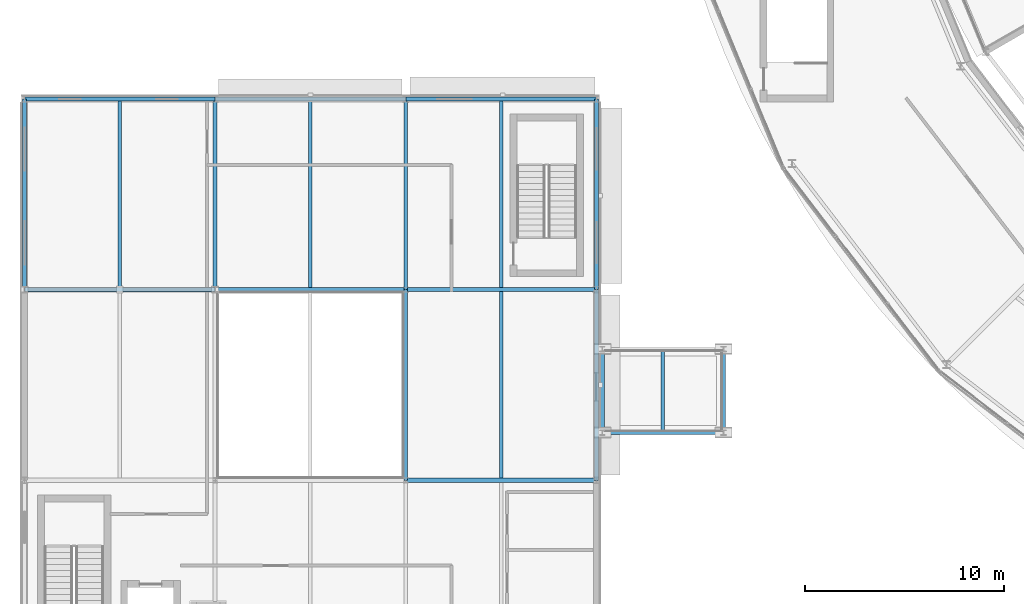
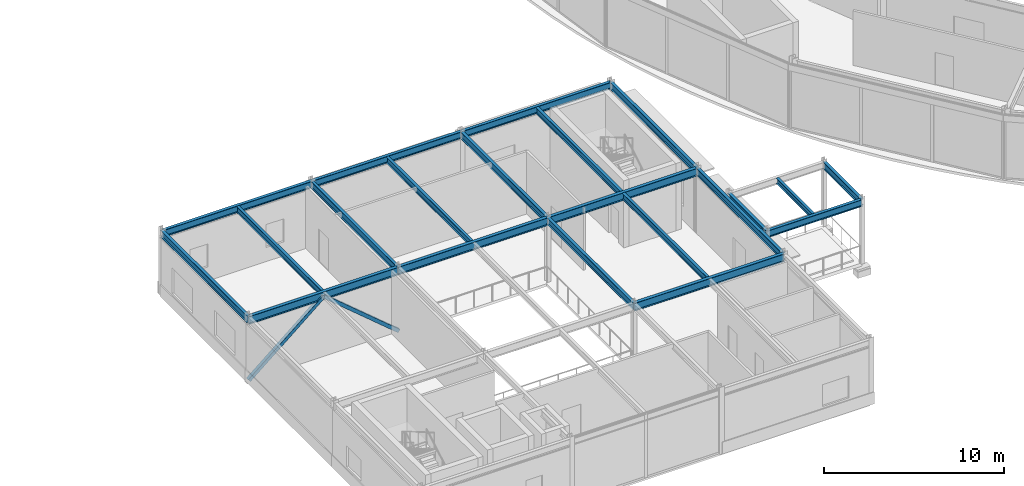
# One storey, part 25 of 157: 21 beams, 2 members.
"""IFC4 building model written with IfcOpenShell, lengths in metres."""

from ifc_helpers import new_model, si_unit, direction, frame, origin, origin_2d, place, context, subcontext, project, spatial, hollow_rectangle, i_section, extrude, material, material_profile, profile_set, type_object, element, save


model = new_model("IFC4")

# Units and contexts
model_context = context("Model", 3, precision=1e-05, world=origin(), true_north=direction((0.0, 1.0)))
body_context = subcontext(model_context, "Body", "Model", "MODEL_VIEW")
ifc_project = project(units=[si_unit("LENGTHUNIT", "METRE"), si_unit("AREAUNIT", "SQUARE_METRE"), si_unit("VOLUMEUNIT", "CUBIC_METRE"), si_unit("PLANEANGLEUNIT", "RADIAN"), si_unit("MASSUNIT", "GRAM", prefix="KILO")], contexts=[model_context])

# Site, building, storey
site_placement = place(None, origin())
site = spatial("IfcSite", under=ifc_project, at=site_placement, CompositionType="ELEMENT")
building_placement = place(site_placement, origin())
building = spatial("IfcBuilding", under=site, at=building_placement, Name="Almandine Court Research Institute", CompositionType="ELEMENT")
storey_placement = place(building_placement, frame((0.0, 0.0, 5.25)))
storey = spatial("IfcBuildingStorey", under=building, at=storey_placement, Name="L01", CompositionType="ELEMENT", Elevation=5.25)

# Beams
ifc_material_1 = material(Name="Steel ASTM A992 Grade 50", Category="steel")
ifc_material_profile_1 = material_profile(ifc_material_1, i_section(OverallWidth=0.18994140625, OverallDepth=0.45703125, WebThickness=0.009033203125, FlangeThickness=0.014892578125, at=origin_2d()), Name="W460x74")
ifc_profile_set_1 = profile_set([ifc_material_profile_1], Name="Steel ASTM A992 Grade 50")
beam_type_1 = type_object("IfcBeamType", Name="Beam-B-01", PredefinedType="BEAM", material=ifc_profile_set_1)
beam_1_placement = place(storey_placement, frame((25.199951171875, 15.60009765625, 4.14111328125), z_axis=(0.0, 1.0, 0.0), x_axis=(-1.0, 0.0, 0.0)))
element("IfcBeam", 1, at=beam_1_placement, inside=storey, type_object=beam_type_1, Name="L01 V1 Primary Y Girder", PredefinedType="BEAM", context=body_context, shape_type="SweptSolid", body=[
    extrude(i_section(OverallWidth=0.18994140625, OverallDepth=0.45703125, WebThickness=0.009033203125, FlangeThickness=0.014892578125, at=origin_2d()), origin(), (0.0, 0.0, 1.0), 9.599853515625),
])
for number, where, z_axis, x_axis, name in (
    (2, (15.60009765625, 25.199951171875, 4.14111328125), (0.0, 1.0, 0.0), (-1.0, 0.0, 0.0), "L01 V1 Primary Y Girder"),
    (3, (25.199951171875, 25.199951171875, 4.14111328125), (0.0, 1.0, 0.0), (-1.0, 0.0, 0.0), "L01 V1 Primary Y Girder"),
):
    element("IfcBeam", number, at=place(storey_placement, frame(where, z_axis=z_axis, x_axis=x_axis)), inside=storey, type_object=beam_type_1, Name=name, PredefinedType="BEAM", context=body_context, shape_type="SweptSolid", body=[
        extrude(i_section(OverallWidth=0.18994140625, OverallDepth=0.45703125, WebThickness=0.009033203125, FlangeThickness=0.014892578125, at=origin_2d()), origin(), (0.0, 0.0, 1.0), 9.60009765625),
    ])
ifc_material_profile_2 = material_profile(ifc_material_1, i_section(OverallWidth=0.178955078125, OverallDepth=0.409912109375, WebThickness=0.009033203125, FlangeThickness=0.013916015625, at=origin_2d()), Name="W410x67")
ifc_profile_set_2 = profile_set([ifc_material_profile_2], Name="Steel ASTM A992 Grade 50")
beam_type_2 = type_object("IfcBeamType", Name="Beam-B-02", PredefinedType="JOIST", material=ifc_profile_set_2)
beam_2_placement = place(storey_placement, frame((30.0, 15.7041015625, 4.1650390625), z_axis=(0.0, 1.0, 0.0), x_axis=(-1.0, 0.0, 0.0)))
element("IfcBeam", 4, at=beam_2_placement, inside=storey, type_object=beam_type_2, Name="L01 V1 Composite Secondary Beam", PredefinedType="JOIST", context=body_context, shape_type="SweptSolid", body=[
    extrude(i_section(OverallWidth=0.178955078125, OverallDepth=0.409912109375, WebThickness=0.009033203125, FlangeThickness=0.013916015625, at=origin_2d()), origin(), (0.0, 0.0, 1.0), 9.391845703125),
])
for number, where, z_axis, x_axis, name in (
    (5, (10.800048828125, 25.302978515625, 4.1650390625), (0.0, 1.0, 0.0), (-1.0, 0.0, 0.0), "L01 V1 Composite Secondary Beam"),
    (6, (20.39990234375, 25.302978515625, 4.1650390625), (0.0, 1.0, 0.0), (-1.0, 0.0, 0.0), "L01 V1 Composite Secondary Beam"),
    (7, (30.0, 25.302978515625, 4.1650390625), (0.0, 1.0, 0.0), (-1.0, 0.0, 0.0), "L01 V1 Composite Secondary Beam"),
):
    element("IfcBeam", number, at=place(storey_placement, frame(where, z_axis=z_axis, x_axis=x_axis)), inside=storey, type_object=beam_type_2, Name=name, PredefinedType="JOIST", context=body_context, shape_type="SweptSolid", body=[
        extrude(i_section(OverallWidth=0.178955078125, OverallDepth=0.409912109375, WebThickness=0.009033203125, FlangeThickness=0.013916015625, at=origin_2d()), origin(), (0.0, 0.0, 1.0), 9.403076171875),
    ])
ifc_material_profile_3 = material_profile(ifc_material_1, i_section(OverallWidth=0.172119140625, OverallDepth=0.35791015625, WebThickness=0.008056640625, FlangeThickness=0.012939453125, at=origin_2d()), Name="W360x57")
ifc_profile_set_3 = profile_set([ifc_material_profile_3], Name="Steel ASTM A992 Grade 50")
beam_type_3 = type_object("IfcBeamType", Name="Beam-B-03", PredefinedType="JOIST", material=ifc_profile_set_3)
beam_3_placement = place(storey_placement, frame((38.14990234375, 18.094970703125, 4.1708984375), z_axis=(0.0, 1.0, 0.0), x_axis=(-1.0, 0.0, 0.0)))
element("IfcBeam", 8, at=beam_3_placement, inside=storey, type_object=beam_type_3, Name="L01 DAL-SW Composite Secondary Beam", PredefinedType="JOIST", context=body_context, shape_type="SweptSolid", body=[
    extrude(i_section(OverallWidth=0.172119140625, OverallDepth=0.35791015625, WebThickness=0.008056640625, FlangeThickness=0.012939453125, at=origin_2d()), origin(), (0.0, 0.0, 1.0), 4.010009765625),
])
ifc_material_profile_4 = material_profile(ifc_material_1, i_section(OverallWidth=0.2109375, OverallDepth=0.5390625, WebThickness=0.011962890625, FlangeThickness=0.01904296875, at=origin_2d()), Name="W530x109")
ifc_profile_set_4 = profile_set([ifc_material_profile_4], Name="Steel ASTM A992 Grade 50")
beam_type_4 = type_object("IfcBeamType", Name="Beam-G-04", PredefinedType="BEAM", material=ifc_profile_set_4)
for number, where, z_axis, x_axis, name in (
    (9, (25.199951171875, 15.60009765625, 4.10009765625), (1.0, 0.0, 0.0), (0.0, 1.0, 0.0), "L01 V1 Primary X Girder"),
    (10, (6.0, 25.199951171875, 4.10009765625), (1.0, 0.0, 0.0), (0.0, 1.0, 0.0), "L01 V1 Primary X Girder"),
):
    element("IfcBeam", number, at=place(storey_placement, frame(where, z_axis=z_axis, x_axis=x_axis)), inside=storey, type_object=beam_type_4, Name=name, PredefinedType="BEAM", context=body_context, shape_type="SweptSolid", body=[
        extrude(i_section(OverallWidth=0.2109375, OverallDepth=0.5390625, WebThickness=0.011962890625, FlangeThickness=0.01904296875, at=origin_2d()), origin(), (0.0, 0.0, 1.0), 9.60009765625),
    ])
beam_4_placement = place(storey_placement, frame((15.60009765625, 25.199951171875, 4.10009765625), z_axis=(1.0, 0.0, 0.0), x_axis=(0.0, 1.0, 0.0)))
element("IfcBeam", 11, at=beam_4_placement, inside=storey, type_object=beam_type_4, Name="L01 V1 Primary X Girder", PredefinedType="BEAM", context=body_context, shape_type="SweptSolid", body=[
    extrude(i_section(OverallWidth=0.2109375, OverallDepth=0.5390625, WebThickness=0.011962890625, FlangeThickness=0.01904296875, at=origin_2d()), origin(), (0.0, 0.0, 1.0), 9.599853515625),
])
beam_5_placement = place(storey_placement, frame((25.199951171875, 25.199951171875, 4.10009765625), z_axis=(1.0, 0.0, 0.0), x_axis=(0.0, 1.0, 0.0)))
element("IfcBeam", 12, at=beam_5_placement, inside=storey, type_object=beam_type_4, Name="L01 V1 Primary X Girder", PredefinedType="BEAM", context=body_context, shape_type="SweptSolid", body=[
    extrude(i_section(OverallWidth=0.2109375, OverallDepth=0.5390625, WebThickness=0.011962890625, FlangeThickness=0.01904296875, at=origin_2d()), origin(), (0.0, 0.0, 1.0), 9.60009765625),
])
ifc_material_profile_5 = material_profile(ifc_material_1, i_section(OverallWidth=0.193115234375, OverallDepth=0.466064453125, WebThickness=0.010986328125, FlangeThickness=0.01904296875, at=origin_2d()), Name="W460x97")
ifc_profile_set_5 = profile_set([ifc_material_profile_5], Name="Steel ASTM A992 Grade 50")
beam_type_5 = type_object("IfcBeamType", Name="Beam-G-06-E", PredefinedType="SPANDREL", material=ifc_profile_set_5)
beam_6_placement = place(storey_placement, frame((6.0, 34.800048828125, 4.136962890625), z_axis=(1.0, 0.0, 0.0), x_axis=(0.0, 1.0, 0.0)))
element("IfcBeam", 13, at=beam_6_placement, inside=storey, type_object=beam_type_5, Name="L01 V1 Primary X Girder", PredefinedType="SPANDREL", context=body_context, shape_type="SweptSolid", body=[
    extrude(i_section(OverallWidth=0.193115234375, OverallDepth=0.466064453125, WebThickness=0.010986328125, FlangeThickness=0.01904296875, at=origin_2d()), origin(), (0.0, 0.0, 1.0), 9.60009765625),
])
beam_7_placement = place(storey_placement, frame((15.60009765625, 34.800048828125, 4.136962890625), z_axis=(1.0, 0.0, 0.0), x_axis=(0.0, 1.0, 0.0)))
element("IfcBeam", 14, at=beam_7_placement, inside=storey, type_object=beam_type_5, Name="L01 V1 Primary X Girder", PredefinedType="SPANDREL", context=body_context, shape_type="SweptSolid", body=[
    extrude(i_section(OverallWidth=0.193115234375, OverallDepth=0.466064453125, WebThickness=0.010986328125, FlangeThickness=0.01904296875, at=origin_2d()), origin(), (0.0, 0.0, 1.0), 9.599853515625),
])
beam_8_placement = place(storey_placement, frame((25.199951171875, 34.800048828125, 4.136962890625), z_axis=(1.0, 0.0, 0.0), x_axis=(0.0, 1.0, 0.0)))
element("IfcBeam", 15, at=beam_8_placement, inside=storey, type_object=beam_type_5, Name="L01 V1 Primary X Girder", PredefinedType="SPANDREL", context=body_context, shape_type="SweptSolid", body=[
    extrude(i_section(OverallWidth=0.193115234375, OverallDepth=0.466064453125, WebThickness=0.010986328125, FlangeThickness=0.01904296875, at=origin_2d()), origin(), (0.0, 0.0, 1.0), 9.60009765625),
])
beam_9_placement = place(storey_placement, frame((34.800048828125, 15.60009765625, 4.114990234375), z_axis=(0.0, 1.0, 0.0), x_axis=(-1.0, 0.0, 0.0)))
element("IfcBeam", 16, at=beam_9_placement, inside=storey, type_object=beam_type_5, Name="L01 V1 Primary Y Girder", PredefinedType="SPANDREL", context=body_context, shape_type="SweptSolid", body=[
    extrude(i_section(OverallWidth=0.193115234375, OverallDepth=0.466064453125, WebThickness=0.010986328125, FlangeThickness=0.01904296875, at=origin_2d()), origin(), (0.0, 0.0, 1.0), 9.599853515625),
])
for number, where, z_axis, x_axis, name in (
    (17, (6.0, 25.199951171875, 4.136962890625), (0.0, 1.0, 0.0), (-1.0, 0.0, 0.0), "L01 V1 Primary Y Girder"),
    (18, (34.800048828125, 25.199951171875, 4.136962890625), (0.0, 1.0, 0.0), (-1.0, 0.0, 0.0), "L01 V1 Primary Y Girder"),
):
    element("IfcBeam", number, at=place(storey_placement, frame(where, z_axis=z_axis, x_axis=x_axis)), inside=storey, type_object=beam_type_5, Name=name, PredefinedType="SPANDREL", context=body_context, shape_type="SweptSolid", body=[
        extrude(i_section(OverallWidth=0.193115234375, OverallDepth=0.466064453125, WebThickness=0.010986328125, FlangeThickness=0.01904296875, at=origin_2d()), origin(), (0.0, 0.0, 1.0), 9.60009765625),
    ])
beam_10_placement = place(storey_placement, frame((35.10009765625, 18.0, 4.116943359375), z_axis=(1.0, 0.0, 0.0), x_axis=(0.0, 1.0, 0.0)))
element("IfcBeam", 19, at=beam_10_placement, inside=storey, type_object=beam_type_5, Name="L01 DAL-SW Primary X Girder", PredefinedType="SPANDREL", context=body_context, shape_type="SweptSolid", body=[
    extrude(i_section(OverallWidth=0.193115234375, OverallDepth=0.466064453125, WebThickness=0.010986328125, FlangeThickness=0.01904296875, at=origin_2d()), origin(), (0.0, 0.0, 1.0), 6.099853515625),
])
for number, where, z_axis, x_axis, name in (
    (20, (35.10009765625, 18.0, 4.116943359375), (0.0, 1.0, 0.0), (-1.0, 0.0, 0.0), "L01 DAL-SW Primary Y Girder"),
    (21, (41.199951171875, 18.0, 4.116943359375), (0.0, 1.0, 0.0), (-1.0, 0.0, 0.0), "L01 DAL-SW Primary Y Girder"),
):
    element("IfcBeam", number, at=place(storey_placement, frame(where, z_axis=z_axis, x_axis=x_axis)), inside=storey, type_object=beam_type_5, Name=name, PredefinedType="SPANDREL", context=body_context, shape_type="SweptSolid", body=[
        extrude(i_section(OverallWidth=0.193115234375, OverallDepth=0.466064453125, WebThickness=0.010986328125, FlangeThickness=0.01904296875, at=origin_2d()), origin(), (0.0, 0.0, 1.0), 4.199951171875),
    ])

# Members
ifc_material_2 = material(Name="Steel ASTM A500 Grade C", Category="steel")
ifc_material_profile_6 = material_profile(ifc_material_2, hollow_rectangle(XDim=0.219970703125, YDim=0.219970703125, WallThickness=0.010009765625, at=origin_2d()), Name="HSS 220x220x10")
ifc_profile_set_6 = profile_set([ifc_material_profile_6], Name="Steel ASTM A500 Grade C")
member_type = type_object("IfcMemberType", Name="Mem-BF-BR1", PredefinedType="BRACE", material=ifc_profile_set_6)
for number, where, z_axis, x_axis, name in (
    (22, (6.0, 25.199951171875, 0.02001953125), (0.765862920872, 0.0, 0.643003877464), (0.0, 1.0, 0.0), "L01 Seismic Chevron Brace V1-BF1 Left"),
    (23, (15.60009765625, 25.199951171875, 0.02001953125), (-0.765862920872, 0.0, 0.643003877464), (0.0, -1.0, 0.0), "L01 Seismic Chevron Brace V1-BF1 Right"),
):
    element("IfcMember", number, at=place(storey_placement, frame(where, z_axis=z_axis, x_axis=x_axis)), inside=storey, type_object=member_type, Name=name, PredefinedType="BRACE", context=body_context, shape_type="SweptSolid", body=[
        extrude(hollow_rectangle(XDim=0.219970703125, YDim=0.219970703125, WallThickness=0.010009765625, at=origin_2d()), origin(), (0.0, 0.0, 1.0), 6.267578125),
    ])

save(model, "model.ifc")
